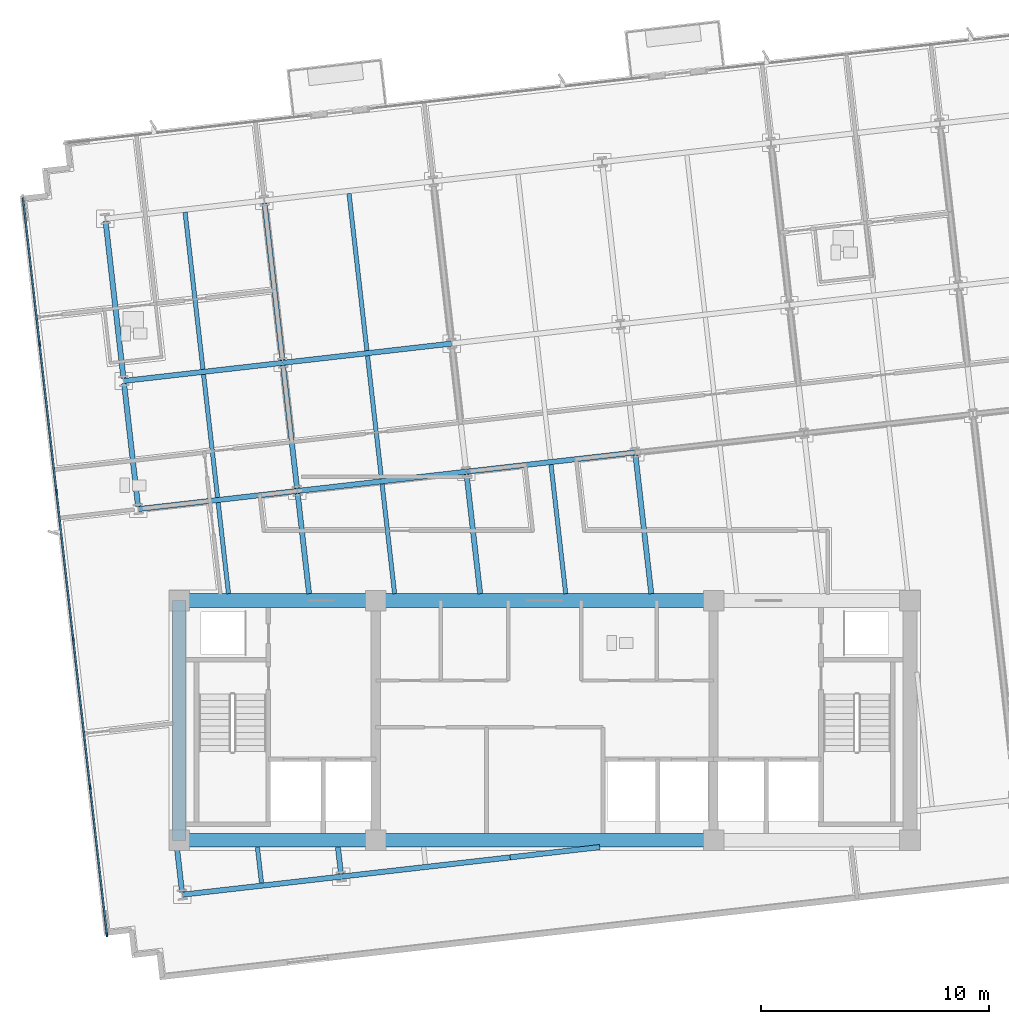
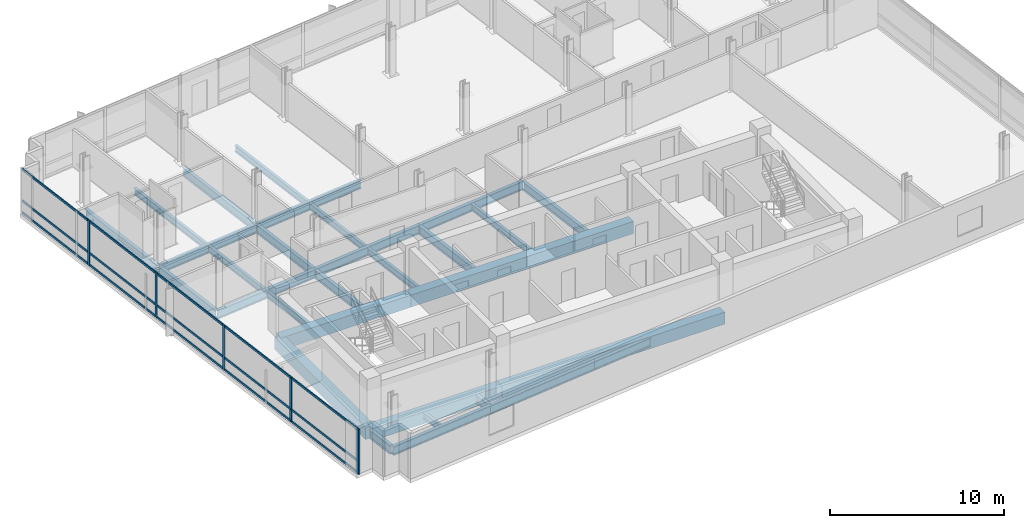
# One storey, part 2 of 15: 30 beams, 20 members, 1 element without a shape of its own.
"""IFC4 building model written with IfcOpenShell, lengths in metres."""

from ifc_helpers import new_model, si_unit, direction, frame, origin, origin_2d, place, context, subcontext, project, spatial, rectangle, i_section, extrude, material, material_profile, profile_set, type_object, element, aggregate, save


model = new_model("IFC4")

# Units and contexts
model_context = context("Model", 3, precision=1e-05, world=origin(), true_north=direction((0.0, 1.0)))
body_context = subcontext(model_context, "Body", "Model", "MODEL_VIEW")
ifc_project = project(units=[si_unit("LENGTHUNIT", "METRE"), si_unit("AREAUNIT", "SQUARE_METRE"), si_unit("VOLUMEUNIT", "CUBIC_METRE"), si_unit("PLANEANGLEUNIT", "RADIAN"), si_unit("MASSUNIT", "GRAM", prefix="KILO")], contexts=[model_context])

# Site, building, storey
site_placement = place(None, origin())
site = spatial("IfcSite", under=ifc_project, at=site_placement, CompositionType="ELEMENT")
building_placement = place(site_placement, origin())
building = spatial("IfcBuilding", under=site, at=building_placement, Name="Solmavex Isthmus Hotel", CompositionType="ELEMENT")
storey_placement = place(building_placement, frame((0.0, 0.0, 229.64990234375)))
storey = spatial("IfcBuildingStorey", under=building, at=storey_placement, Name="L62", CompositionType="ELEMENT", Elevation=229.64990234375)

# Beams
ifc_material_1 = material(Name="Steel ASTM A992 Grade 50", Category="steel")
ifc_material_profile_1 = material_profile(ifc_material_1, i_section(OverallWidth=0.1904296875, OverallDepth=0.456787109375, WebThickness=0.009033203125, FlangeThickness=0.014404296875, FilletRadius=0.0126953125, at=origin_2d()), Name="W18X50")
ifc_profile_set_1 = profile_set([ifc_material_profile_1], Name="Steel ASTM A992 Grade 50")
beam_type_1 = type_object("IfcBeamType", Name="BM-BJ-W18X50", PredefinedType="JOIST", material=ifc_profile_set_1)
beam_1_placement = place(storey_placement, frame((-12.404052734375, -14.872314453125, -0.48828125), z_axis=(-0.113242002738, 0.993567435465, 0.0), x_axis=(-0.993567435465, -0.113242002738, 0.0)))
element("IfcBeam", 1, at=beam_1_placement, inside=storey, type_object=beam_type_1, Name="Secondary Floor Joist L62-J01", PredefinedType="JOIST", context=body_context, shape_type="SweptSolid", body=[
    extrude(i_section(OverallWidth=0.1904296875, OverallDepth=0.456787109375, WebThickness=0.009033203125, FlangeThickness=0.014404296875, FilletRadius=0.0126953125, at=origin_2d()), origin(), (0.0, 0.0, 1.0), 1.58251953125),
])
beam_2_placement = place(storey_placement, frame((-13.847900390625, -2.199951171875, -0.48828125), z_axis=(-0.113179724577, 0.993574531651, 0.0), x_axis=(-0.993574531651, -0.113179724577, 0.0)))
element("IfcBeam", 2, at=beam_2_placement, inside=storey, type_object=beam_type_1, Name="Secondary Floor Joist L62-J02", PredefinedType="JOIST", context=body_context, shape_type="SweptSolid", body=[
    extrude(i_section(OverallWidth=0.1904296875, OverallDepth=0.456787109375, WebThickness=0.009033203125, FlangeThickness=0.014404296875, FilletRadius=0.0126953125, at=origin_2d()), origin(), (0.0, 0.0, 1.0), 4.0166015625),
])
beam_3_placement = place(storey_placement, frame((-14.328369140625, 2.01708984375, -0.48828125), z_axis=(-0.113189626161, 0.993573403695, 0.0), x_axis=(-0.993573403695, -0.113189626161, 0.0)))
element("IfcBeam", 3, at=beam_3_placement, inside=storey, type_object=beam_type_1, Name="Secondary Floor Joist L62-J03", PredefinedType="JOIST", context=body_context, shape_type="SweptSolid", body=[
    extrude(i_section(OverallWidth=0.1904296875, OverallDepth=0.456787109375, WebThickness=0.009033203125, FlangeThickness=0.014404296875, FilletRadius=0.0126953125, at=origin_2d()), origin(), (0.0, 0.0, 1.0), 5.42041015625),
])
beam_4_placement = place(storey_placement, frame((-14.9677734375, 7.62890625, -0.48828125), z_axis=(-0.113202453846, 0.993571942258, 0.0), x_axis=(-0.993571942258, -0.113202453846, 0.0)))
element("IfcBeam", 4, at=beam_4_placement, inside=storey, type_object=beam_type_1, Name="Secondary Floor Joist L62-J04", PredefinedType="JOIST", context=body_context, shape_type="SweptSolid", body=[
    extrude(i_section(OverallWidth=0.1904296875, OverallDepth=0.456787109375, WebThickness=0.009033203125, FlangeThickness=0.014404296875, FilletRadius=0.0126953125, at=origin_2d()), origin(), (0.0, 0.0, 1.0), 6.9228515625),
])
beam_5_placement = place(storey_placement, frame((-6.57421875, -2.199951171875, -0.48828125), z_axis=(-0.113193768539, 0.993572931779, 0.0), x_axis=(-0.993572931779, -0.113193768539, 0.0)))
element("IfcBeam", 5, at=beam_5_placement, inside=storey, type_object=beam_type_1, Name="Secondary Floor Joist L62-J06", PredefinedType="JOIST", context=body_context, shape_type="SweptSolid", body=[
    extrude(i_section(OverallWidth=0.1904296875, OverallDepth=0.456787109375, WebThickness=0.009033203125, FlangeThickness=0.014404296875, FilletRadius=0.0126953125, at=origin_2d()), origin(), (0.0, 0.0, 1.0), 4.83984375),
])
beam_6_placement = place(storey_placement, frame((-7.14794921875, 2.835205078125, -0.48828125), z_axis=(-0.113189626161, 0.993573403695, 0.0), x_axis=(-0.993573403695, -0.113189626161, 0.0)))
element("IfcBeam", 6, at=beam_6_placement, inside=storey, type_object=beam_type_1, Name="Secondary Floor Joist L62-J07", PredefinedType="JOIST", context=body_context, shape_type="SweptSolid", body=[
    extrude(i_section(OverallWidth=0.1904296875, OverallDepth=0.456787109375, WebThickness=0.009033203125, FlangeThickness=0.014404296875, FilletRadius=0.0126953125, at=origin_2d()), origin(), (0.0, 0.0, 1.0), 5.42041015625),
])
beam_7_placement = place(storey_placement, frame((-7.787109375, 8.447021484375, -0.48828125), z_axis=(-0.113202453846, 0.993571942258, 0.0), x_axis=(-0.993571942258, -0.113202453846, 0.0)))
element("IfcBeam", 7, at=beam_7_placement, inside=storey, type_object=beam_type_1, Name="Secondary Floor Joist L62-J08", PredefinedType="JOIST", context=body_context, shape_type="SweptSolid", body=[
    extrude(i_section(OverallWidth=0.1904296875, OverallDepth=0.456787109375, WebThickness=0.009033203125, FlangeThickness=0.014404296875, FilletRadius=0.0126953125, at=origin_2d()), origin(), (0.0, 0.0, 1.0), 6.9228515625),
])
beam_8_placement = place(storey_placement, frame((0.920166015625, -2.199951171875, -0.48828125), z_axis=(-0.113219765873, 0.993569969663, 0.0), x_axis=(-0.993569969663, -0.113219765873, 0.0)))
element("IfcBeam", 8, at=beam_8_placement, inside=storey, type_object=beam_type_1, Name="Secondary Floor Joist L62-J09", PredefinedType="JOIST", context=body_context, shape_type="SweptSolid", body=[
    extrude(i_section(OverallWidth=0.1904296875, OverallDepth=0.456787109375, WebThickness=0.009033203125, FlangeThickness=0.014404296875, FilletRadius=0.0126953125, at=origin_2d()), origin(), (0.0, 0.0, 1.0), 5.6884765625),
])
ifc_material_profile_2 = material_profile(ifc_material_1, i_section(OverallWidth=0.227783203125, OverallDepth=0.602783203125, WebThickness=0.010498046875, FlangeThickness=0.014892578125, FilletRadius=0.01513671875, at=origin_2d()), Name="W24X68")
ifc_profile_set_2 = profile_set([ifc_material_profile_2], Name="Steel ASTM A992 Grade 50")
beam_type_2 = type_object("IfcBeamType", Name="BM-BM-W24X68", PredefinedType="BEAM", material=ifc_profile_set_2)
beam_9_placement = place(storey_placement, frame((-17.796875, 1.50732421875, -0.561279296875), z_axis=(0.993569675103, 0.113222350774, 0.0), x_axis=(-0.113222350774, 0.993569675103, 0.0)))
element("IfcBeam", 9, at=beam_9_placement, inside=storey, type_object=beam_type_2, Name="Floor Girder L62-UG06", PredefinedType="BEAM", context=body_context, shape_type="SweptSolid", body=[
    extrude(i_section(OverallWidth=0.227783203125, OverallDepth=0.602783203125, WebThickness=0.010498046875, FlangeThickness=0.014892578125, FilletRadius=0.01513671875, at=origin_2d()), origin(), (0.0, 0.0, 1.0), 7.008056640625),
])
beam_10_placement = place(storey_placement, frame((-10.833984375, 2.30078125, -0.561279296875), z_axis=(0.993574034044, 0.113184092846, 0.0), x_axis=(-0.113184092846, 0.993574034044, 0.0)))
element("IfcBeam", 10, at=beam_10_placement, inside=storey, type_object=beam_type_2, Name="Floor Girder L62-UG07", PredefinedType="BEAM", context=body_context, shape_type="SweptSolid", body=[
    extrude(i_section(OverallWidth=0.227783203125, OverallDepth=0.602783203125, WebThickness=0.010498046875, FlangeThickness=0.014892578125, FilletRadius=0.01513671875, at=origin_2d()), origin(), (0.0, 0.0, 1.0), 7.446044921875),
])
beam_11_placement = place(storey_placement, frame((-3.435791015625, 3.1435546875, -0.561279296875), z_axis=(0.993569926006, 0.113220148984, 0.0), x_axis=(-0.113220148984, 0.993569926006, 0.0)))
element("IfcBeam", 11, at=beam_11_placement, inside=storey, type_object=beam_type_2, Name="Floor Girder L62-UG08", PredefinedType="BEAM", context=body_context, shape_type="SweptSolid", body=[
    extrude(i_section(OverallWidth=0.227783203125, OverallDepth=0.602783203125, WebThickness=0.010498046875, FlangeThickness=0.014892578125, FilletRadius=0.01513671875, at=origin_2d()), origin(), (0.0, 0.0, 1.0), 7.44580078125),
])
beam_12_placement = place(storey_placement, frame((-18.436279296875, 7.119140625, -0.561279296875), z_axis=(0.99357359356, 0.113187959519, 0.0), x_axis=(-0.113187959519, 0.99357359356, 0.0)))
element("IfcBeam", 12, at=beam_12_placement, inside=storey, type_object=beam_type_2, Name="Floor Girder L62-UG12", PredefinedType="BEAM", context=body_context, shape_type="SweptSolid", body=[
    extrude(i_section(OverallWidth=0.227783203125, OverallDepth=0.602783203125, WebThickness=0.010498046875, FlangeThickness=0.014892578125, FilletRadius=0.01513671875, at=origin_2d()), origin(), (0.0, 0.0, 1.0), 7.0078125),
])
beam_13_placement = place(storey_placement, frame((-11.473388671875, 7.912353515625, -0.561279296875), z_axis=(0.9935703463, 0.113216460607, 0.0), x_axis=(-0.113216460607, 0.9935703463, 0.0)))
element("IfcBeam", 13, at=beam_13_placement, inside=storey, type_object=beam_type_2, Name="Floor Girder L62-UG13", PredefinedType="BEAM", context=body_context, shape_type="SweptSolid", body=[
    extrude(i_section(OverallWidth=0.227783203125, OverallDepth=0.602783203125, WebThickness=0.010498046875, FlangeThickness=0.014892578125, FilletRadius=0.01513671875, at=origin_2d()), origin(), (0.0, 0.0, 1.0), 7.446044921875),
])
beam_14_placement = place(storey_placement, frame((-8.922607421875, -14.4755859375, -0.561279296875), z_axis=(-0.113284703976, 0.993562567655, 0.0), x_axis=(-0.993562567655, -0.113284703976, 0.0)))
element("IfcBeam", 14, at=beam_14_placement, inside=storey, type_object=beam_type_2, Name="Floor Beam L62-VG27", PredefinedType="BEAM", context=body_context, shape_type="SweptSolid", body=[
    extrude(i_section(OverallWidth=0.227783203125, OverallDepth=0.602783203125, WebThickness=0.010498046875, FlangeThickness=0.014892578125, FilletRadius=0.01513671875, at=origin_2d()), origin(), (0.0, 0.0, 1.0), 1.18310546875),
])
beam_15_placement = place(storey_placement, frame((-10.3212890625, -2.199951171875, -0.561279296875), z_axis=(-0.113173914695, 0.993575193447, 0.0), x_axis=(-0.993575193447, -0.113173914695, 0.0)))
element("IfcBeam", 15, at=beam_15_placement, inside=storey, type_object=beam_type_2, Name="Floor Beam L62-VG28", PredefinedType="BEAM", context=body_context, shape_type="SweptSolid", body=[
    extrude(i_section(OverallWidth=0.227783203125, OverallDepth=0.602783203125, WebThickness=0.010498046875, FlangeThickness=0.014892578125, FilletRadius=0.01513671875, at=origin_2d()), origin(), (0.0, 0.0, 1.0), 4.415771484375),
])
beam_16_placement = place(storey_placement, frame((-10.846923828125, 2.413818359375, -0.561279296875), z_axis=(-0.113189626161, 0.993573403695, 0.0), x_axis=(-0.993573403695, -0.113189626161, 0.0)))
element("IfcBeam", 16, at=beam_16_placement, inside=storey, type_object=beam_type_2, Name="Floor Beam L62-VG29", PredefinedType="BEAM", context=body_context, shape_type="SweptSolid", body=[
    extrude(i_section(OverallWidth=0.227783203125, OverallDepth=0.602783203125, WebThickness=0.010498046875, FlangeThickness=0.014892578125, FilletRadius=0.01513671875, at=origin_2d()), origin(), (0.0, 0.0, 1.0), 5.42041015625),
])
beam_17_placement = place(storey_placement, frame((-11.486328125, 8.025634765625, -0.561279296875), z_axis=(-0.113202453846, 0.993571942258, 0.0), x_axis=(-0.993571942258, -0.113202453846, 0.0)))
element("IfcBeam", 17, at=beam_17_placement, inside=storey, type_object=beam_type_2, Name="Floor Beam L62-VG30", PredefinedType="BEAM", context=body_context, shape_type="SweptSolid", body=[
    extrude(i_section(OverallWidth=0.227783203125, OverallDepth=0.602783203125, WebThickness=0.010498046875, FlangeThickness=0.014892578125, FilletRadius=0.01513671875, at=origin_2d()), origin(), (0.0, 0.0, 1.0), 6.9228515625),
])
beam_18_placement = place(storey_placement, frame((-2.8271484375, -2.199951171875, -0.561279296875), z_axis=(-0.113159423971, 0.993576843916, 0.0), x_axis=(-0.993576843916, -0.113159423971, 0.0)))
element("IfcBeam", 18, at=beam_18_placement, inside=storey, type_object=beam_type_2, Name="Floor Beam L62-VG31", PredefinedType="BEAM", context=body_context, shape_type="SweptSolid", body=[
    extrude(i_section(OverallWidth=0.227783203125, OverallDepth=0.602783203125, WebThickness=0.010498046875, FlangeThickness=0.014892578125, FilletRadius=0.01513671875, at=origin_2d()), origin(), (0.0, 0.0, 1.0), 5.26416015625),
])
beam_19_placement = place(storey_placement, frame((4.667236328125, -2.199951171875, -0.561279296875), z_axis=(-0.113232304752, 0.993568540746, 0.0), x_axis=(-0.993568540746, -0.113232304752, 0.0)))
element("IfcBeam", 19, at=beam_19_placement, inside=storey, type_object=beam_type_2, Name="Floor Beam L62-VG34", PredefinedType="BEAM", context=body_context, shape_type="SweptSolid", body=[
    extrude(i_section(OverallWidth=0.227783203125, OverallDepth=0.602783203125, WebThickness=0.010498046875, FlangeThickness=0.014892578125, FilletRadius=0.01513671875, at=origin_2d()), origin(), (0.0, 0.0, 1.0), 6.112548828125),
])
ifc_material_2 = material(Name="Concrete C50/60", Category="concrete")
ifc_material_profile_3 = material_profile(ifc_material_2, rectangle(XDim=0.60009765625, YDim=0.85009765625, at=origin_2d()), Name="RC600X850")
ifc_profile_set_3 = profile_set([ifc_material_profile_3], Name="Concrete C50/60")
beam_type_3 = type_object("IfcBeamType", Name="BM-CB-600X850", PredefinedType="BEAM", material=ifc_profile_set_3)
beam_20_placement = place(storey_placement, frame((-16.0, -13.0, -0.684814453125), z_axis=(1.0, 0.0, 0.0), x_axis=(0.0, 1.0, 0.0)))
element("IfcBeam", 20, at=beam_20_placement, inside=storey, type_object=beam_type_3, Name="Core Coupling Beam L62-CB1", PredefinedType="BEAM", context=body_context, shape_type="SweptSolid", body=[
    extrude(rectangle(XDim=0.60009765625, YDim=0.85009765625, at=origin_2d()), origin(), (0.0, 0.0, 1.0), 8.60009765625),
])
beam_21_placement = place(storey_placement, frame((-7.39990234375, -13.0, -0.684814453125), z_axis=(1.0, 0.0, 0.0), x_axis=(0.0, 1.0, 0.0)))
element("IfcBeam", 21, at=beam_21_placement, inside=storey, type_object=beam_type_3, Name="Core Coupling Beam L62-CB2", PredefinedType="BEAM", context=body_context, shape_type="SweptSolid", body=[
    extrude(rectangle(XDim=0.60009765625, YDim=0.85009765625, at=origin_2d()), origin(), (0.0, 0.0, 1.0), 14.7998046875),
])
beam_22_placement = place(storey_placement, frame((-16.0, -2.5, -0.684814453125), z_axis=(1.0, 0.0, 0.0), x_axis=(0.0, 1.0, 0.0)))
element("IfcBeam", 22, at=beam_22_placement, inside=storey, type_object=beam_type_3, Name="Core Coupling Beam L62-CB4", PredefinedType="BEAM", context=body_context, shape_type="SweptSolid", body=[
    extrude(rectangle(XDim=0.60009765625, YDim=0.85009765625, at=origin_2d()), origin(), (0.0, 0.0, 1.0), 8.60009765625),
])
beam_23_placement = place(storey_placement, frame((-7.39990234375, -2.5, -0.684814453125), z_axis=(1.0, 0.0, 0.0), x_axis=(0.0, 1.0, 0.0)))
element("IfcBeam", 23, at=beam_23_placement, inside=storey, type_object=beam_type_3, Name="Core Coupling Beam L62-CB5", PredefinedType="BEAM", context=body_context, shape_type="SweptSolid", body=[
    extrude(rectangle(XDim=0.60009765625, YDim=0.85009765625, at=origin_2d()), origin(), (0.0, 0.0, 1.0), 14.7998046875),
])
beam_24_placement = place(storey_placement, frame((-16.0, -13.0, -0.684814453125), z_axis=(0.0, 1.0, 0.0), x_axis=(-1.0, 0.0, 0.0)))
element("IfcBeam", 24, at=beam_24_placement, inside=storey, type_object=beam_type_3, Name="Core Coupling Beam L62-CB7", PredefinedType="BEAM", context=body_context, shape_type="SweptSolid", body=[
    extrude(rectangle(XDim=0.60009765625, YDim=0.85009765625, at=origin_2d()), origin(), (0.0, 0.0, 1.0), 10.5),
])
ifc_material_profile_4 = material_profile(ifc_material_1, i_section(OverallWidth=0.230224609375, OverallDepth=0.617431640625, WebThickness=0.01318359375, FlangeThickness=0.022216796875, FilletRadius=0.01513671875, at=origin_2d()), Name="W24X94")
ifc_profile_set_4 = profile_set([ifc_material_profile_4], Name="Steel ASTM A992 Grade 50")
beam_type_4 = type_object("IfcBeamType", Name="BM-SP-W24X94", PredefinedType="SPANDREL", material=ifc_profile_set_4)
beam_25_placement = place(storey_placement, frame((-15.87255859375, -15.38330078125, -0.568603515625), z_axis=(0.993574039862, 0.113184041777, 0.0), x_axis=(-0.113184041777, 0.993574039862, 0.0)))
element("IfcBeam", 25, at=beam_25_placement, inside=storey, type_object=beam_type_4, Name="Floor Girder L62-UG01", PredefinedType="SPANDREL", context=body_context, shape_type="SweptSolid", body=[
    extrude(i_section(OverallWidth=0.230224609375, OverallDepth=0.617431640625, WebThickness=0.01318359375, FlangeThickness=0.022216796875, FilletRadius=0.01513671875, at=origin_2d()), origin(), (0.0, 0.0, 1.0), 7.008056640625),
])
beam_26_placement = place(storey_placement, frame((-8.909423828125, -14.590087890625, -0.568603515625), z_axis=(0.993569926006, 0.113220148984, 0.0), x_axis=(-0.113220148984, 0.993569926006, 0.0)))
element("IfcBeam", 26, at=beam_26_placement, inside=storey, type_object=beam_type_4, Name="Floor Girder L62-UG02", PredefinedType="SPANDREL", context=body_context, shape_type="SweptSolid", body=[
    extrude(i_section(OverallWidth=0.230224609375, OverallDepth=0.617431640625, WebThickness=0.01318359375, FlangeThickness=0.022216796875, FilletRadius=0.01513671875, at=origin_2d()), origin(), (0.0, 0.0, 1.0), 7.44580078125),
])
beam_27_placement = place(storey_placement, frame((-1.511474609375, -13.7470703125, -0.568603515625), z_axis=(0.993575434773, 0.113171796023, 0.0), x_axis=(-0.113171796023, 0.993575434773, 0.0)))
element("IfcBeam", 27, at=beam_27_placement, inside=storey, type_object=beam_type_4, Name="Floor Girder L62-UG03", PredefinedType="SPANDREL", context=body_context, shape_type="SweptSolid", body=[
    extrude(i_section(OverallWidth=0.230224609375, OverallDepth=0.617431640625, WebThickness=0.01318359375, FlangeThickness=0.022216796875, FilletRadius=0.01513671875, at=origin_2d()), origin(), (0.0, 0.0, 1.0), 3.949951171875),
])
beam_28_placement = place(storey_placement, frame((-15.885498046875, -15.268798828125, -0.568603515625), z_axis=(-0.113230368519, 0.993568761408, 0.0), x_axis=(-0.993568761408, -0.113230368519, 0.0)))
element("IfcBeam", 28, at=beam_28_placement, inside=storey, type_object=beam_type_4, Name="Floor Beam L62-VG24", PredefinedType="SPANDREL", context=body_context, shape_type="SweptSolid", body=[
    extrude(i_section(OverallWidth=0.230224609375, OverallDepth=0.617431640625, WebThickness=0.01318359375, FlangeThickness=0.022216796875, FilletRadius=0.01513671875, at=origin_2d()), origin(), (0.0, 0.0, 1.0), 1.9814453125),
])
beam_29_placement = place(storey_placement, frame((-17.809814453125, 1.62060546875, -0.568603515625), z_axis=(-0.113194691868, 0.993572826587, 0.0), x_axis=(-0.993572826587, -0.113194691868, 0.0)))
element("IfcBeam", 29, at=beam_29_placement, inside=storey, type_object=beam_type_4, Name="Floor Beam L62-VG25", PredefinedType="SPANDREL", context=body_context, shape_type="SweptSolid", body=[
    extrude(i_section(OverallWidth=0.230224609375, OverallDepth=0.617431640625, WebThickness=0.01318359375, FlangeThickness=0.022216796875, FilletRadius=0.01513671875, at=origin_2d()), origin(), (0.0, 0.0, 1.0), 5.420166015625),
])
beam_30_placement = place(storey_placement, frame((-18.44921875, 7.232177734375, -0.568603515625), z_axis=(-0.113202453846, 0.993571942258, 0.0), x_axis=(-0.993571942258, -0.113202453846, 0.0)))
element("IfcBeam", 30, at=beam_30_placement, inside=storey, type_object=beam_type_4, Name="Floor Beam L62-VG26", PredefinedType="SPANDREL", context=body_context, shape_type="SweptSolid", body=[
    extrude(i_section(OverallWidth=0.230224609375, OverallDepth=0.617431640625, WebThickness=0.01318359375, FlangeThickness=0.022216796875, FilletRadius=0.01513671875, at=origin_2d()), origin(), (0.0, 0.0, 1.0), 6.9228515625),
])

# Curtain wall, members
ifc_material_3 = material(Name="Aluminium alloy 6063-T6", Category="aluminium")
curtain_wall_type = type_object("IfcCurtainWallType", Name="CW-SYS-04", PredefinedType="NOTDEFINED", material=ifc_material_3)
curtain_wall_placement = place(storey_placement, origin())
curtain_wall = element("IfcCurtainWall", 31, at=curtain_wall_placement, inside=storey, type_object=curtain_wall_type, Name="Stick Curtain Wall CWL-L62-W1", PredefinedType="NOTDEFINED")
ifc_material_profile_5 = material_profile(ifc_material_3, rectangle(XDim=0.074951171875, YDim=0.199951171875, at=origin_2d()), Name="CWM-75X200")
ifc_profile_set_5 = profile_set([ifc_material_profile_5], Name="Aluminium alloy 6063-T6")
member_type_1 = type_object("IfcMemberType", Name="CW-SYS-04-MUL", PredefinedType="MULLION", material=ifc_profile_set_5)
member_1_placement = place(storey_placement, frame((-19.17578125, -17.131103515625, 0.0), z_axis=(0.0, 0.0, 1.0), x_axis=(-0.993571836648, -0.11320338078, 0.0)))
member_1 = element("IfcMember", 32, at=member_1_placement, type_object=member_type_1, Name="CW-04 mullion 1", PredefinedType="MULLION", context=body_context, shape_type="SweptSolid", body=[
    extrude(rectangle(XDim=0.074951171875, YDim=0.199951171875, at=origin_2d()), origin(), (0.0, 0.0, 1.0), 3.190185546875),
])
member_2_placement = place(storey_placement, frame((-19.90966796875, -10.690185546875, 0.0), z_axis=(0.0, 0.0, 1.0), x_axis=(-0.993571836648, -0.11320338078, 0.0)))
member_2 = element("IfcMember", 33, at=member_2_placement, type_object=member_type_1, Name="CW-04 mullion 2", PredefinedType="MULLION", context=body_context, shape_type="SweptSolid", body=[
    extrude(rectangle(XDim=0.074951171875, YDim=0.199951171875, at=origin_2d()), origin(), (0.0, 0.0, 1.0), 3.190185546875),
])
member_3_placement = place(storey_placement, frame((-20.647705078125, -4.212158203125, 0.0), z_axis=(0.0, 0.0, 1.0), x_axis=(-0.993571836648, -0.11320338078, 0.0)))
member_3 = element("IfcMember", 34, at=member_3_placement, type_object=member_type_1, Name="CW-04 mullion 3", PredefinedType="MULLION", context=body_context, shape_type="SweptSolid", body=[
    extrude(rectangle(XDim=0.074951171875, YDim=0.199951171875, at=origin_2d()), origin(), (0.0, 0.0, 1.0), 3.190185546875),
])
member_4_placement = place(storey_placement, frame((-21.385986328125, 2.265869140625, 0.0), z_axis=(0.0, 0.0, 1.0), x_axis=(-0.993571836648, -0.11320338078, 0.0)))
member_4 = element("IfcMember", 35, at=member_4_placement, type_object=member_type_1, Name="CW-04 mullion 4", PredefinedType="MULLION", context=body_context, shape_type="SweptSolid", body=[
    extrude(rectangle(XDim=0.074951171875, YDim=0.199951171875, at=origin_2d()), origin(), (0.0, 0.0, 1.0), 3.190185546875),
])
member_5_placement = place(storey_placement, frame((-22.1240234375, 8.744140625, 0.0), z_axis=(0.0, 0.0, 1.0), x_axis=(-0.993571836648, -0.11320338078, 0.0)))
member_5 = element("IfcMember", 36, at=member_5_placement, type_object=member_type_1, Name="CW-04 mullion 5", PredefinedType="MULLION", context=body_context, shape_type="SweptSolid", body=[
    extrude(rectangle(XDim=0.074951171875, YDim=0.199951171875, at=origin_2d()), origin(), (0.0, 0.0, 1.0), 3.190185546875),
])
ifc_material_profile_6 = material_profile(ifc_material_3, rectangle(XDim=0.074951171875, YDim=0.14990234375, at=origin_2d()), Name="CWT-75X150")
ifc_profile_set_6 = profile_set([ifc_material_profile_6], Name="Aluminium alloy 6063-T6")
member_type_2 = type_object("IfcMemberType", Name="CW-SYS-04-TRN", PredefinedType="USERDEFINED", material=ifc_profile_set_6)
member_6_placement = place(storey_placement, frame((-19.18017578125, -17.09375, 0.0751953125), z_axis=(-0.113203780919, 0.993571791058, 0.0), x_axis=(-0.993571791058, -0.113203780919, 0.0)))
member_6 = element("IfcMember", 37, at=member_6_placement, type_object=member_type_2, Name="CW-04 transom 1.1", ObjectType="TRANSOM", PredefinedType="USERDEFINED", context=body_context, shape_type="SweptSolid", body=[
    extrude(rectangle(XDim=0.074951171875, YDim=0.14990234375, at=origin_2d()), origin(), (0.0, 0.0, 1.0), 6.407470703125),
])
member_7_placement = place(storey_placement, frame((-19.18017578125, -17.09375, 0.900146484375), z_axis=(-0.113203780919, 0.993571791058, 0.0), x_axis=(-0.993571791058, -0.113203780919, 0.0)))
member_7 = element("IfcMember", 38, at=member_7_placement, type_object=member_type_2, Name="CW-04 transom 1.2", ObjectType="TRANSOM", PredefinedType="USERDEFINED", context=body_context, shape_type="SweptSolid", body=[
    extrude(rectangle(XDim=0.074951171875, YDim=0.14990234375, at=origin_2d()), origin(), (0.0, 0.0, 1.0), 6.407470703125),
])
member_8_placement = place(storey_placement, frame((-19.18017578125, -17.09375, 3.114990234375), z_axis=(-0.113203780919, 0.993571791058, 0.0), x_axis=(-0.993571791058, -0.113203780919, 0.0)))
member_8 = element("IfcMember", 39, at=member_8_placement, type_object=member_type_2, Name="CW-04 transom 1.3", ObjectType="TRANSOM", PredefinedType="USERDEFINED", context=body_context, shape_type="SweptSolid", body=[
    extrude(rectangle(XDim=0.074951171875, YDim=0.14990234375, at=origin_2d()), origin(), (0.0, 0.0, 1.0), 6.407470703125),
])
member_9_placement = place(storey_placement, frame((-19.9140625, -10.653076171875, 0.0751953125), z_axis=(-0.113187617296, 0.993573632546, 0.0), x_axis=(-0.993573632546, -0.113187617296, 0.0)))
member_9 = element("IfcMember", 40, at=member_9_placement, type_object=member_type_2, Name="CW-04 transom 2.1", ObjectType="TRANSOM", PredefinedType="USERDEFINED", context=body_context, shape_type="SweptSolid", body=[
    extrude(rectangle(XDim=0.074951171875, YDim=0.14990234375, at=origin_2d()), origin(), (0.0, 0.0, 1.0), 6.445068359375),
])
member_10_placement = place(storey_placement, frame((-19.9140625, -10.653076171875, 0.900146484375), z_axis=(-0.113187617296, 0.993573632546, 0.0), x_axis=(-0.993573632546, -0.113187617296, 0.0)))
member_10 = element("IfcMember", 41, at=member_10_placement, type_object=member_type_2, Name="CW-04 transom 2.2", ObjectType="TRANSOM", PredefinedType="USERDEFINED", context=body_context, shape_type="SweptSolid", body=[
    extrude(rectangle(XDim=0.074951171875, YDim=0.14990234375, at=origin_2d()), origin(), (0.0, 0.0, 1.0), 6.445068359375),
])
member_11_placement = place(storey_placement, frame((-19.9140625, -10.653076171875, 3.114990234375), z_axis=(-0.113187617296, 0.993573632546, 0.0), x_axis=(-0.993573632546, -0.113187617296, 0.0)))
member_11 = element("IfcMember", 42, at=member_11_placement, type_object=member_type_2, Name="CW-04 transom 2.3", ObjectType="TRANSOM", PredefinedType="USERDEFINED", context=body_context, shape_type="SweptSolid", body=[
    extrude(rectangle(XDim=0.074951171875, YDim=0.14990234375, at=origin_2d()), origin(), (0.0, 0.0, 1.0), 6.445068359375),
])
member_12_placement = place(storey_placement, frame((-20.652099609375, -4.1748046875, 0.0751953125), z_axis=(-0.113187617296, 0.993573632546, 0.0), x_axis=(-0.993573632546, -0.113187617296, 0.0)))
member_12 = element("IfcMember", 43, at=member_12_placement, type_object=member_type_2, Name="CW-04 transom 3.1", ObjectType="TRANSOM", PredefinedType="USERDEFINED", context=body_context, shape_type="SweptSolid", body=[
    extrude(rectangle(XDim=0.074951171875, YDim=0.14990234375, at=origin_2d()), origin(), (0.0, 0.0, 1.0), 6.445068359375),
])
member_13_placement = place(storey_placement, frame((-20.652099609375, -4.1748046875, 0.900146484375), z_axis=(-0.113187617296, 0.993573632546, 0.0), x_axis=(-0.993573632546, -0.113187617296, 0.0)))
member_13 = element("IfcMember", 44, at=member_13_placement, type_object=member_type_2, Name="CW-04 transom 3.2", ObjectType="TRANSOM", PredefinedType="USERDEFINED", context=body_context, shape_type="SweptSolid", body=[
    extrude(rectangle(XDim=0.074951171875, YDim=0.14990234375, at=origin_2d()), origin(), (0.0, 0.0, 1.0), 6.445068359375),
])
member_14_placement = place(storey_placement, frame((-20.652099609375, -4.1748046875, 3.114990234375), z_axis=(-0.113187617296, 0.993573632546, 0.0), x_axis=(-0.993573632546, -0.113187617296, 0.0)))
member_14 = element("IfcMember", 45, at=member_14_placement, type_object=member_type_2, Name="CW-04 transom 3.3", ObjectType="TRANSOM", PredefinedType="USERDEFINED", context=body_context, shape_type="SweptSolid", body=[
    extrude(rectangle(XDim=0.074951171875, YDim=0.14990234375, at=origin_2d()), origin(), (0.0, 0.0, 1.0), 6.445068359375),
])
member_15_placement = place(storey_placement, frame((-21.39013671875, 2.30322265625, 0.0751953125), z_axis=(-0.113187617296, 0.993573632546, 0.0), x_axis=(-0.993573632546, -0.113187617296, 0.0)))
member_15 = element("IfcMember", 46, at=member_15_placement, type_object=member_type_2, Name="CW-04 transom 4.1", ObjectType="TRANSOM", PredefinedType="USERDEFINED", context=body_context, shape_type="SweptSolid", body=[
    extrude(rectangle(XDim=0.074951171875, YDim=0.14990234375, at=origin_2d()), origin(), (0.0, 0.0, 1.0), 6.445068359375),
])
member_16_placement = place(storey_placement, frame((-21.39013671875, 2.30322265625, 0.900146484375), z_axis=(-0.113187617296, 0.993573632546, 0.0), x_axis=(-0.993573632546, -0.113187617296, 0.0)))
member_16 = element("IfcMember", 47, at=member_16_placement, type_object=member_type_2, Name="CW-04 transom 4.2", ObjectType="TRANSOM", PredefinedType="USERDEFINED", context=body_context, shape_type="SweptSolid", body=[
    extrude(rectangle(XDim=0.074951171875, YDim=0.14990234375, at=origin_2d()), origin(), (0.0, 0.0, 1.0), 6.445068359375),
])
member_17_placement = place(storey_placement, frame((-21.39013671875, 2.30322265625, 3.114990234375), z_axis=(-0.113187617296, 0.993573632546, 0.0), x_axis=(-0.993573632546, -0.113187617296, 0.0)))
member_17 = element("IfcMember", 48, at=member_17_placement, type_object=member_type_2, Name="CW-04 transom 4.3", ObjectType="TRANSOM", PredefinedType="USERDEFINED", context=body_context, shape_type="SweptSolid", body=[
    extrude(rectangle(XDim=0.074951171875, YDim=0.14990234375, at=origin_2d()), origin(), (0.0, 0.0, 1.0), 6.445068359375),
])
member_18_placement = place(storey_placement, frame((-22.128173828125, 8.78125, 0.0751953125), z_axis=(-0.113199495412, 0.993572279323, 0.0), x_axis=(-0.993572279323, -0.113199495412, 0.0)))
member_18 = element("IfcMember", 49, at=member_18_placement, type_object=member_type_2, Name="CW-04 transom 5.1", ObjectType="TRANSOM", PredefinedType="USERDEFINED", context=body_context, shape_type="SweptSolid", body=[
    extrude(rectangle(XDim=0.074951171875, YDim=0.14990234375, at=origin_2d()), origin(), (0.0, 0.0, 1.0), 6.40771484375),
])
member_19_placement = place(storey_placement, frame((-22.128173828125, 8.78125, 0.900146484375), z_axis=(-0.113199495412, 0.993572279323, 0.0), x_axis=(-0.993572279323, -0.113199495412, 0.0)))
member_19 = element("IfcMember", 50, at=member_19_placement, type_object=member_type_2, Name="CW-04 transom 5.2", ObjectType="TRANSOM", PredefinedType="USERDEFINED", context=body_context, shape_type="SweptSolid", body=[
    extrude(rectangle(XDim=0.074951171875, YDim=0.14990234375, at=origin_2d()), origin(), (0.0, 0.0, 1.0), 6.40771484375),
])
member_20_placement = place(storey_placement, frame((-22.128173828125, 8.78125, 3.114990234375), z_axis=(-0.113199495412, 0.993572279323, 0.0), x_axis=(-0.993572279323, -0.113199495412, 0.0)))
member_20 = element("IfcMember", 51, at=member_20_placement, type_object=member_type_2, Name="CW-04 transom 5.3", ObjectType="TRANSOM", PredefinedType="USERDEFINED", context=body_context, shape_type="SweptSolid", body=[
    extrude(rectangle(XDim=0.074951171875, YDim=0.14990234375, at=origin_2d()), origin(), (0.0, 0.0, 1.0), 6.40771484375),
])
aggregate(curtain_wall, [member_1, member_2, member_3, member_4, member_5, member_6, member_7, member_8, member_9, member_10, member_11, member_12, member_13, member_14, member_15, member_16, member_17, member_18, member_19, member_20])

save(model, "model.ifc")
